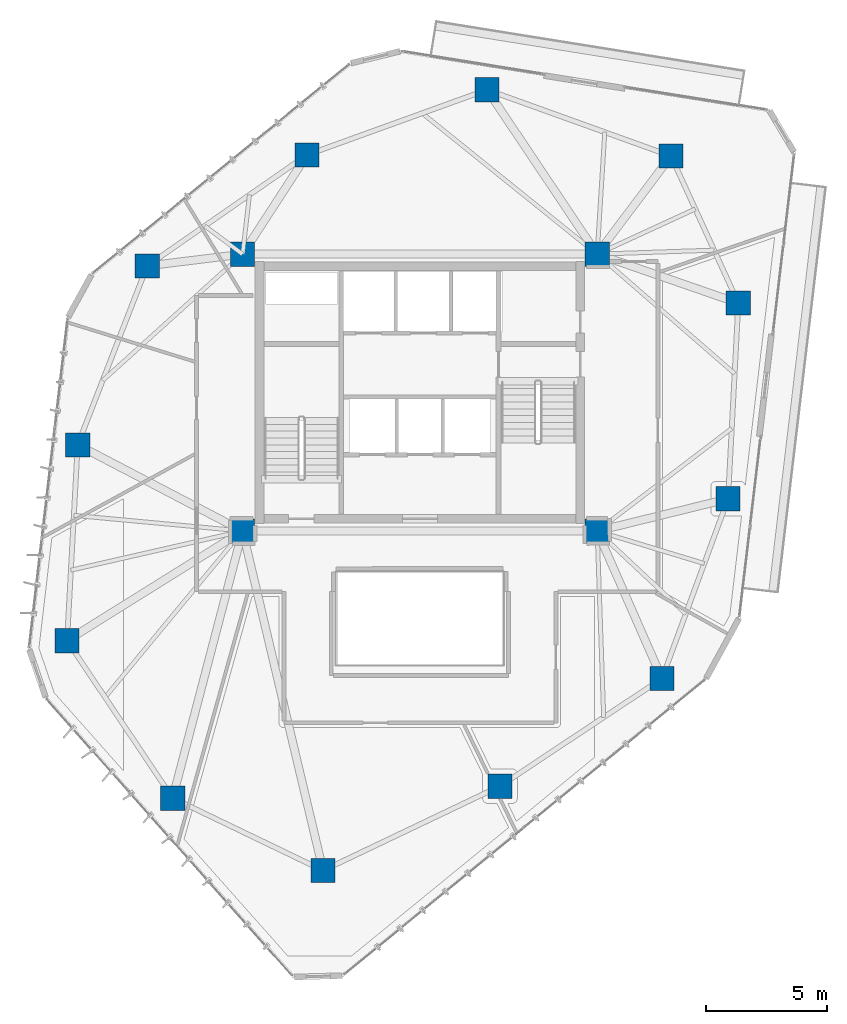
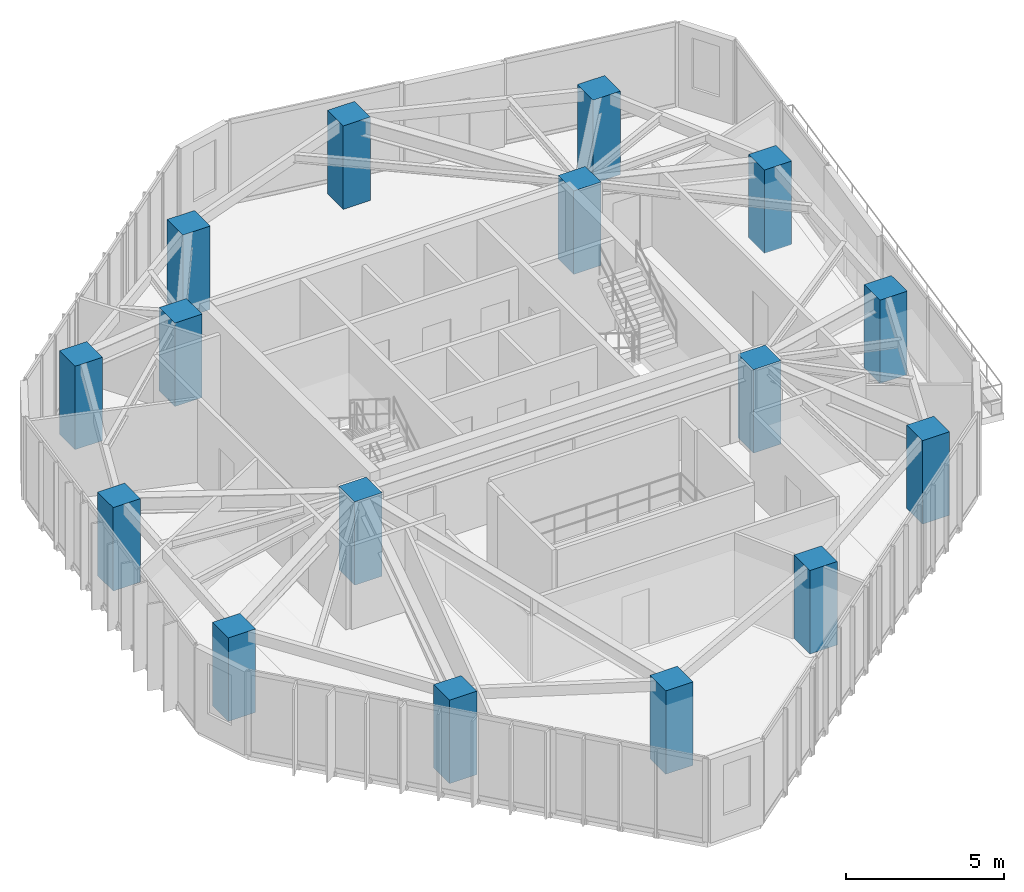
# One storey, part 1 of 22: 16 columns.
"""IFC4 building model written with IfcOpenShell, lengths in metres."""

from ifc_helpers import new_model, si_unit, direction, frame, origin, origin_2d, place, context, subcontext, project, spatial, rectangle, extrude, material, material_profile, profile_set, type_object, element, save


model = new_model("IFC4")

# Units and contexts
model_context = context("Model", 3, precision=1e-05, world=origin(), true_north=direction((0.0, 1.0)))
body_context = subcontext(model_context, "Body", "Model", "MODEL_VIEW")
ifc_project = project(units=[si_unit("LENGTHUNIT", "METRE"), si_unit("AREAUNIT", "SQUARE_METRE"), si_unit("VOLUMEUNIT", "CUBIC_METRE"), si_unit("PLANEANGLEUNIT", "RADIAN"), si_unit("MASSUNIT", "GRAM", prefix="KILO")], contexts=[model_context])

# Site, building, storey
site_placement = place(None, origin())
site = spatial("IfcSite", under=ifc_project, at=site_placement, CompositionType="ELEMENT")
building_placement = place(site_placement, origin())
building = spatial("IfcBuilding", under=site, at=building_placement, Name="Talar Marvaseh", CompositionType="ELEMENT")
storey_placement = place(building_placement, frame((0.0, 0.0, 229.199951171875)))
storey = spatial("IfcBuildingStorey", under=building, at=storey_placement, Name="L60", CompositionType="ELEMENT", Elevation=229.199951171875)

# Columns
ifc_material = material(Name="Concrete C60/75", Category="concrete")
ifc_material_profile = material_profile(ifc_material, rectangle(XDim=1.0, YDim=1.0, at=origin_2d()), Name="RC1000x1000")
ifc_profile_set = profile_set([ifc_material_profile], Name="Concrete C60/75")
column_type = type_object("IfcColumnType", Name="Zone 3 Tube Column RC1000x1000", PredefinedType="COLUMN", material=ifc_profile_set)
for number, where, z_axis, x_axis, name in (
    (1, (28.76611328125, 43.66796875, 0.0), (0.0, 0.0, 1.0), (1.0, 0.0, 0.0), "L60 Zone 3 Tube Column RC1000x1000"),
    (2, (36.341064453125, 40.94189453125, 0.0), (0.0, 0.0, 1.0), (1.0, 0.0, 0.0), "L60 Zone 3 Tube Column RC1000x1000"),
    (3, (39.113037109375, 34.884033203125, 0.0), (0.0, 0.0, 1.0), (1.0, 0.0, 0.0), "L60 Zone 3 Tube Column RC1000x1000"),
    (4, (38.68896484375, 26.823974609375, 0.0), (0.0, 0.0, 1.0), (1.0, 0.0, 0.0), "L60 Zone 3 Tube Column RC1000x1000"),
    (5, (35.970947265625, 19.423095703125, 0.0), (0.0, 0.0, 1.0), (1.0, 0.0, 0.0), "L60 Zone 3 Tube Column RC1000x1000"),
    (6, (29.299072265625, 14.993896484375, 0.0), (0.0, 0.0, 1.0), (1.0, 0.0, 0.0), "L60 Zone 3 Tube Column RC1000x1000"),
    (7, (22.014892578125, 11.51904296875, 0.0), (0.0, 0.0, 1.0), (1.0, 0.0, 0.0), "L60 Zone 3 Tube Column RC1000x1000"),
    (8, (15.819091796875, 14.5009765625, 0.0), (0.0, 0.0, 1.0), (1.0, 0.0, 0.0), "L60 Zone 3 Tube Column RC1000x1000"),
    (9, (11.471923828125, 20.986083984375, 0.0), (0.0, 0.0, 1.0), (1.0, 0.0, 0.0), "L60 Zone 3 Tube Column RC1000x1000"),
    (10, (11.908935546875, 29.044921875, 0.0), (0.0, 0.0, 1.0), (1.0, 0.0, 0.0), "L60 Zone 3 Tube Column RC1000x1000"),
    (11, (14.77294921875, 36.416015625, 0.0), (0.0, 0.0, 1.0), (1.0, 0.0, 0.0), "L60 Zone 3 Tube Column RC1000x1000"),
    (12, (21.35205078125, 40.986083984375, 0.0), (0.0, 0.0, 1.0), (1.0, 0.0, 0.0), "L60 Zone 3 Tube Column RC1000x1000"),
    (13, (18.699951171875, 25.5, 0.0), (0.0, 0.0, 1.0), (1.0, 0.0, 0.0), "L60 Zone 3 Tube Column RC1000x1000"),
    (14, (33.300048828125, 25.5, 0.0), (0.0, 0.0, 1.0), (1.0, 0.0, 0.0), "L60 Zone 3 Tube Column RC1000x1000"),
    (15, (33.300048828125, 36.89990234375, 0.0), (0.0, 0.0, 1.0), (1.0, 0.0, 0.0), "L60 Zone 3 Tube Column RC1000x1000"),
    (16, (18.699951171875, 36.89990234375, 0.0), (0.0, 0.0, 1.0), (1.0, 0.0, 0.0), "L60 Zone 3 Tube Column RC1000x1000"),
):
    element("IfcColumn", number, at=place(storey_placement, frame(where, z_axis=z_axis, x_axis=x_axis)), inside=storey, type_object=column_type, Name=name, PredefinedType="COLUMN", context=body_context, shape_type="SweptSolid", body=[
        extrude(rectangle(XDim=1.0, YDim=1.0, at=origin_2d()), origin(), (0.0, 0.0, 1.0), 3.22998046875),
    ])

save(model, "model.ifc")
